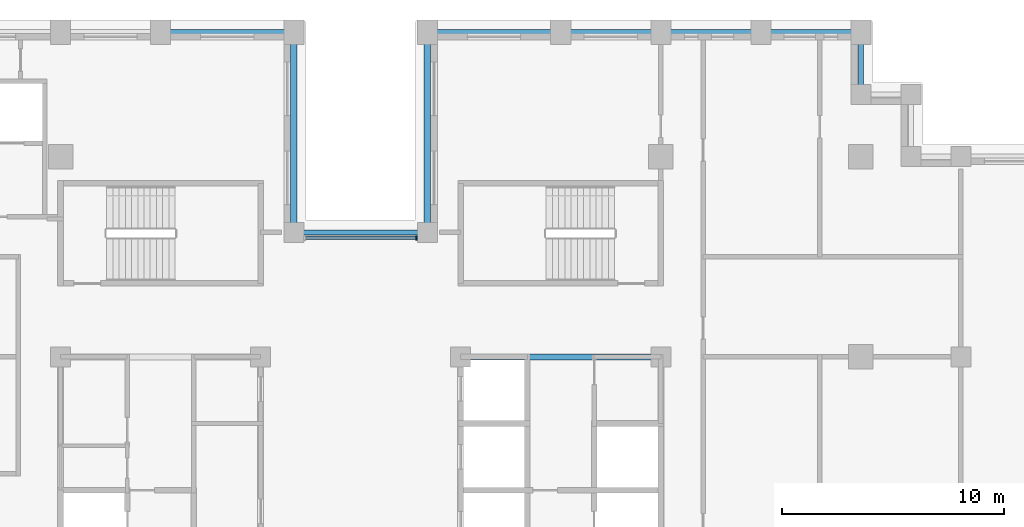
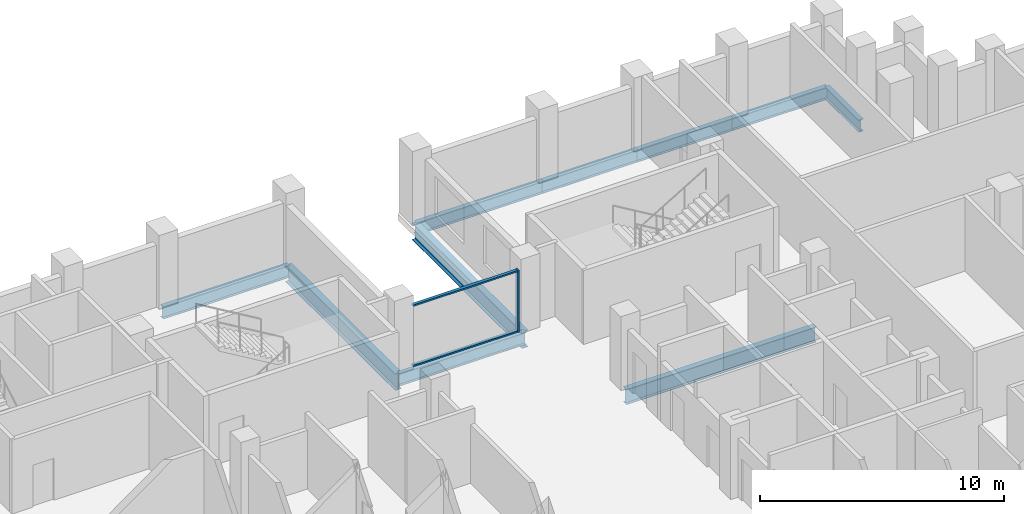
# One storey, part 4 of 15: 10 beams, 3 members, 1 element without a shape of its own.
"""IFC4 building model written with IfcOpenShell, lengths in metres."""

from ifc_helpers import new_model, si_unit, direction, frame, origin, origin_2d, place, context, subcontext, project, spatial, rectangle, i_section, extrude, material, layer, layer_set, material_profile, profile_set, type_object, element, aggregate, save


model = new_model("IFC4")

# Units and contexts
model_context = context("Model", 3, precision=1e-05, world=origin(), true_north=direction((0.0, 1.0)))
body_context = subcontext(model_context, "Body", "Model", "MODEL_VIEW")
ifc_project = project(units=[si_unit("LENGTHUNIT", "METRE"), si_unit("AREAUNIT", "SQUARE_METRE"), si_unit("VOLUMEUNIT", "CUBIC_METRE"), si_unit("PLANEANGLEUNIT", "RADIAN"), si_unit("MASSUNIT", "GRAM", prefix="KILO")], contexts=[model_context])

# Site, building, storey
site_placement = place(None, origin())
site = spatial("IfcSite", under=ifc_project, at=site_placement, CompositionType="ELEMENT")
building_placement = place(site_placement, origin())
building = spatial("IfcBuilding", under=site, at=building_placement, Name="Corbelhall Arena Tower", CompositionType="ELEMENT")
storey_placement = place(building_placement, frame((0.0, 0.0, 130.0)))
storey = spatial("IfcBuildingStorey", under=building, at=storey_placement, Name="L24", CompositionType="ELEMENT", Elevation=130.0)

# Curtain wall, members
ifc_material_1 = material(Name="Aluminium black anodised", Category="aluminium")
ifc_layer = layer(ifc_material_1, 0.199951171875)
ifc_layer_set = layer_set([ifc_layer], Name="EV-CW1 Slot back wall")
curtain_wall_type = type_object("IfcCurtainWallType", Name="EV-CW1 Slot back wall", PredefinedType="NOTDEFINED", material=ifc_layer_set)
curtain_wall_placement = place(storey_placement, origin())
curtain_wall = element("IfcCurtainWall", 1, at=curtain_wall_placement, inside=storey, type_object=curtain_wall_type, Name="Curtain wall CW1", PredefinedType="NOTDEFINED")
ifc_material_profile_1 = material_profile(ifc_material_1, rectangle(XDim=0.199951171875, YDim=0.074951171875, at=origin_2d()))
ifc_profile_set_1 = profile_set([ifc_material_profile_1], Name="Aluminium black anodised")
member_type_1 = type_object("IfcMemberType", Name="EV-CW1-MULLION", PredefinedType="MULLION", material=ifc_profile_set_1)
member_1_placement = place(storey_placement, frame((2.512451171875, 14.35009765625, 0.0), z_axis=(0.0, 0.0, 1.0), x_axis=(0.0, -1.0, 0.0)))
member_1 = element("IfcMember", 2, at=member_1_placement, type_object=member_type_1, Name="CW1 mullion 1", PredefinedType="MULLION", context=body_context, shape_type="SweptSolid", body=[
    extrude(rectangle(XDim=0.199951171875, YDim=0.074951171875, at=origin_2d()), origin(), (0.0, 0.0, 1.0), 3.10009765625),
])
ifc_material_profile_2 = material_profile(ifc_material_1, rectangle(XDim=0.14990234375, YDim=0.074951171875, at=origin_2d()))
ifc_profile_set_2 = profile_set([ifc_material_profile_2], Name="Aluminium black anodised")
member_type_2 = type_object("IfcMemberType", Name="EV-CW1-TRANSOM", PredefinedType="USERDEFINED", material=ifc_profile_set_2)
member_2_placement = place(storey_placement, frame((2.47509765625, 14.35009765625, 0.03759765625), z_axis=(-1.0, 0.0, 0.0), x_axis=(0.0, -1.0, 0.0)))
member_2 = element("IfcMember", 3, at=member_2_placement, type_object=member_type_2, Name="CW1 transom 1.1", ObjectType="transom", PredefinedType="USERDEFINED", context=body_context, shape_type="SweptSolid", body=[
    extrude(rectangle(XDim=0.14990234375, YDim=0.074951171875, at=origin_2d()), origin(), (0.0, 0.0, 1.0), 4.9501953125),
])
member_3_placement = place(storey_placement, frame((2.47509765625, 14.35009765625, 3.0625), z_axis=(-1.0, 0.0, 0.0), x_axis=(0.0, -1.0, 0.0)))
member_3 = element("IfcMember", 4, at=member_3_placement, type_object=member_type_2, Name="CW1 transom 1.2", ObjectType="transom", PredefinedType="USERDEFINED", context=body_context, shape_type="SweptSolid", body=[
    extrude(rectangle(XDim=0.14990234375, YDim=0.074951171875, at=origin_2d()), origin(), (0.0, 0.0, 1.0), 4.9501953125),
])
aggregate(curtain_wall, [member_1, member_2, member_3])

# Beams
ifc_material_2 = material(Name="Steel ASTM A992 Gr50", Category="steel")
ifc_material_profile_3 = material_profile(ifc_material_2, i_section(OverallWidth=0.2666015625, OverallDepth=0.761962890625, WebThickness=0.014404296875, FlangeThickness=0.021484375, at=origin_2d()))
ifc_profile_set_3 = profile_set([ifc_material_profile_3], Name="Steel ASTM A992 Gr50")
beam_type_1 = type_object("IfcBeamType", Name="ST-BEAM-W30x116", PredefinedType="BEAM", material=ifc_profile_set_3)
beam_1_placement = place(storey_placement, frame((4.5, 9.0, -0.680908203125), z_axis=(1.0, 0.0, 0.0), x_axis=(0.0, 1.0, 0.0)))
element("IfcBeam", 5, at=beam_1_placement, inside=storey, type_object=beam_type_1, Name="Beam CEE 12", PredefinedType="BEAM", context=body_context, shape_type="SweptSolid", body=[
    extrude(i_section(OverallWidth=0.2666015625, OverallDepth=0.761962890625, WebThickness=0.014404296875, FlangeThickness=0.021484375, at=origin_2d()), origin(), (0.0, 0.0, 1.0), 9.0),
])
ifc_material_profile_4 = material_profile(ifc_material_2, i_section(OverallWidth=0.22900390625, OverallDepth=0.612060546875, WebThickness=0.011962890625, FlangeThickness=0.01953125, at=origin_2d()))
ifc_profile_set_4 = profile_set([ifc_material_profile_4], Name="Steel ASTM A992 Gr50")
beam_type_2 = type_object("IfcBeamType", Name="ST-SPANDREL-W24x84", PredefinedType="SPANDREL", material=ifc_profile_set_4)
beam_2_placement = place(storey_placement, frame((3.0, 23.60009765625, -0.60595703125), z_axis=(1.0, 0.0, 0.0), x_axis=(0.0, 1.0, 0.0)))
element("IfcBeam", 6, at=beam_2_placement, inside=storey, type_object=beam_type_2, Name="Beam SP 17", PredefinedType="SPANDREL", context=body_context, shape_type="SweptSolid", body=[
    extrude(i_section(OverallWidth=0.22900390625, OverallDepth=0.612060546875, WebThickness=0.011962890625, FlangeThickness=0.01953125, at=origin_2d()), origin(), (0.0, 0.0, 1.0), 6.0),
])
for number, where, z_axis, x_axis, name in (
    (7, (9.0, 23.60009765625, -0.60595703125), (1.0, 0.0, 0.0), (0.0, 1.0, 0.0), "Beam SP 18"),
    (8, (13.5, 23.60009765625, -0.60595703125), (1.0, 0.0, 0.0), (0.0, 1.0, 0.0), "Beam SP 19"),
    (9, (18.0, 23.60009765625, -0.60595703125), (1.0, 0.0, 0.0), (0.0, 1.0, 0.0), "Beam SP 20"),
):
    element("IfcBeam", number, at=place(storey_placement, frame(where, z_axis=z_axis, x_axis=x_axis)), inside=storey, type_object=beam_type_2, Name=name, PredefinedType="SPANDREL", context=body_context, shape_type="SweptSolid", body=[
        extrude(i_section(OverallWidth=0.22900390625, OverallDepth=0.612060546875, WebThickness=0.011962890625, FlangeThickness=0.01953125, at=origin_2d()), origin(), (0.0, 0.0, 1.0), 4.5),
    ])
beam_3_placement = place(storey_placement, frame((22.5, 23.60009765625, -0.60595703125), z_axis=(0.0, -1.0, 0.0), x_axis=(1.0, 0.0, 0.0)))
element("IfcBeam", 10, at=beam_3_placement, inside=storey, type_object=beam_type_2, Name="Beam SP 21", PredefinedType="SPANDREL", context=body_context, shape_type="SweptSolid", body=[
    extrude(i_section(OverallWidth=0.22900390625, OverallDepth=0.612060546875, WebThickness=0.011962890625, FlangeThickness=0.01953125, at=origin_2d()), origin(), (0.0, 0.0, 1.0), 2.800048828125),
])
for number, where, z_axis, x_axis, name in (
    (11, (-9.0, 23.60009765625, -0.60595703125), (1.0, 0.0, 0.0), (0.0, 1.0, 0.0), "Beam SP 23"),
    (12, (-3.0, 14.60009765625, -0.60595703125), (1.0, 0.0, 0.0), (0.0, 1.0, 0.0), "Beam SP 40"),
):
    element("IfcBeam", number, at=place(storey_placement, frame(where, z_axis=z_axis, x_axis=x_axis)), inside=storey, type_object=beam_type_2, Name=name, PredefinedType="SPANDREL", context=body_context, shape_type="SweptSolid", body=[
        extrude(i_section(OverallWidth=0.22900390625, OverallDepth=0.612060546875, WebThickness=0.011962890625, FlangeThickness=0.01953125, at=origin_2d()), origin(), (0.0, 0.0, 1.0), 6.0),
    ])
ifc_material_profile_5 = material_profile(ifc_material_2, i_section(OverallWidth=0.2919921875, OverallDepth=0.845703125, WebThickness=0.015380859375, FlangeThickness=0.0244140625, at=origin_2d()))
ifc_profile_set_5 = profile_set([ifc_material_profile_5], Name="Steel ASTM A992 Gr50")
beam_type_3 = type_object("IfcBeamType", Name="ST-SPANDREL-W33x141", PredefinedType="SPANDREL", material=ifc_profile_set_5)
for number, where, z_axis, x_axis, name in (
    (13, (-3.0, 23.60009765625, -0.722900390625), (0.0, -1.0, 0.0), (1.0, 0.0, 0.0), "Beam SP 22"),
    (14, (3.0, 14.60009765625, -0.722900390625), (0.0, 1.0, 0.0), (-1.0, 0.0, 0.0), "Beam SP 39"),
):
    element("IfcBeam", number, at=place(storey_placement, frame(where, z_axis=z_axis, x_axis=x_axis)), inside=storey, type_object=beam_type_3, Name=name, PredefinedType="SPANDREL", context=body_context, shape_type="SweptSolid", body=[
        extrude(i_section(OverallWidth=0.2919921875, OverallDepth=0.845703125, WebThickness=0.015380859375, FlangeThickness=0.0244140625, at=origin_2d()), origin(), (0.0, 0.0, 1.0), 9.0),
    ])

save(model, "model.ifc")
